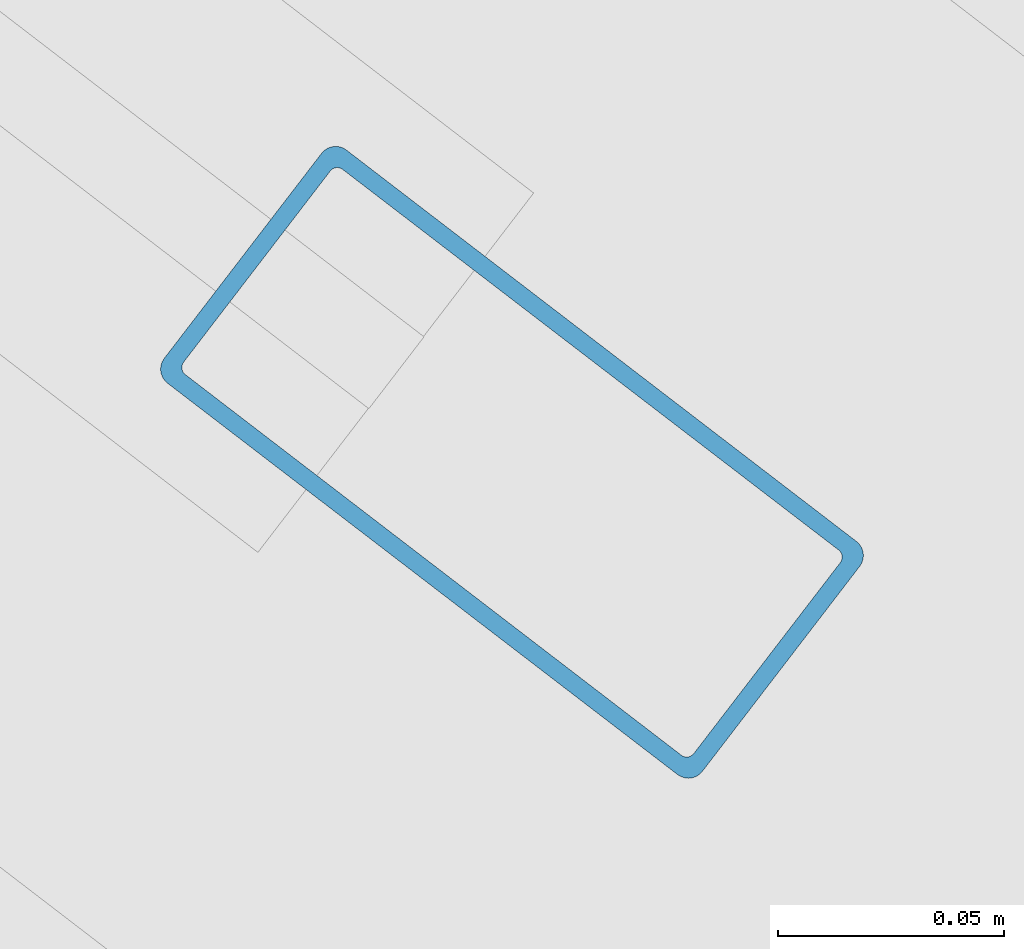
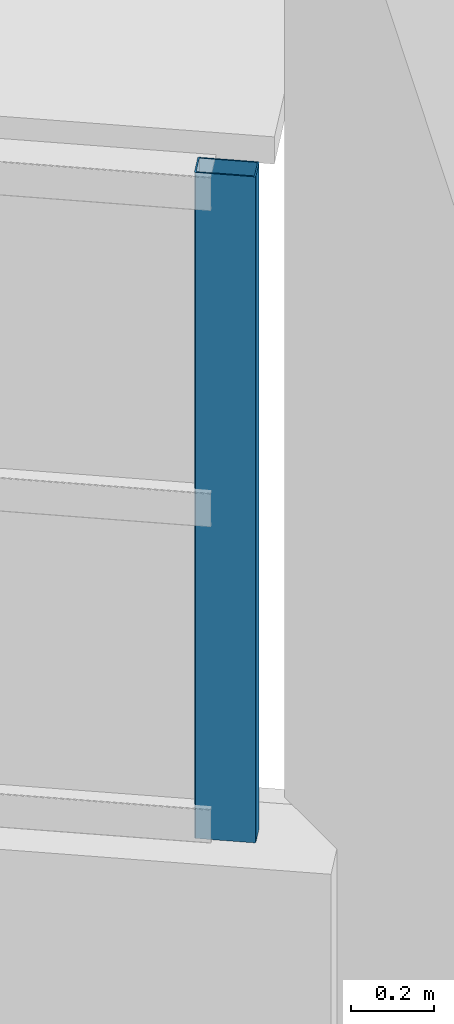
# One storey, part 71 of 108: 1 member, 1 element without a shape of its own.
"""IFC4 building model written with IfcOpenShell, lengths in metres."""

from ifc_helpers import new_model, si_unit, direction, frame, origin, origin_2d, place, context, subcontext, project, spatial, hollow_rectangle, extrude, material, layer, layer_set, material_profile, profile_set, type_object, element, aggregate, save


model = new_model("IFC4")

# Units and contexts
model_context = context("Model", 3, precision=1e-05, world=origin(), true_north=direction((0.0, 1.0)))
body_context = subcontext(model_context, "Body", "Model", "MODEL_VIEW")
ifc_project = project(units=[si_unit("LENGTHUNIT", "METRE"), si_unit("AREAUNIT", "SQUARE_METRE"), si_unit("VOLUMEUNIT", "CUBIC_METRE"), si_unit("PLANEANGLEUNIT", "RADIAN"), si_unit("MASSUNIT", "GRAM", prefix="KILO")], contexts=[model_context])

# Site, building, storey
site_placement = place(None, origin())
site = spatial("IfcSite", under=ifc_project, at=site_placement, CompositionType="ELEMENT")
building_placement = place(site_placement, origin())
building = spatial("IfcBuilding", under=site, at=building_placement, Name="Vespera Passage Community Centre", CompositionType="ELEMENT")
storey_placement = place(building_placement, frame((0.0, 0.0, 12.60009765625)))
storey = spatial("IfcBuildingStorey", under=building, at=storey_placement, Name="L03", CompositionType="ELEMENT", Elevation=12.60009765625)

# Curtain wall, member
ifc_material_1 = material(Name="Anodized aluminium 6063-T6", Category="aluminium")
ifc_layer = layer(ifc_material_1, 0.159912109375)
ifc_layer_set = layer_set([ifc_layer], Name="Anodized aluminium 6063-T6")
curtain_wall_type = type_object("IfcCurtainWallType", Name="CW-37E", PredefinedType="NOTDEFINED", material=ifc_layer_set)
curtain_wall_placement = place(storey_placement, origin())
curtain_wall = element("IfcCurtainWall", 1, at=curtain_wall_placement, inside=storey, type_object=curtain_wall_type, Name="V4 L03 Outer Ribbon Curtain Wall 3", PredefinedType="NOTDEFINED")
ifc_material_2 = material(Name="Anodized aluminium 6063-T6", Category="aluminium")
ifc_material_profile = material_profile(ifc_material_2, hollow_rectangle(XDim=0.06494140625, YDim=0.14990234375, WallThickness=0.00390625, InnerFilletRadius=0.001953125, OuterFilletRadius=0.00390625, at=origin_2d()), Name="ALU150X65X4")
ifc_profile_set = profile_set([ifc_material_profile], Name="Anodized aluminium 6063-T6")
member_type = type_object("IfcMemberType", Name="MB-CWM-150E", PredefinedType="MULLION", material=ifc_profile_set)
member_placement = place(storey_placement, frame((110.026123046875, 98.535888671875, 0.81982421875), z_axis=(0.0, 0.0, 1.0), x_axis=(0.608771824991, 0.793345363065, 0.0)))
member = element("IfcMember", 2, at=member_placement, type_object=member_type, Name="CW-37E mullion 5", PredefinedType="MULLION", context=body_context, shape_type="SweptSolid", body=[
    extrude(hollow_rectangle(XDim=0.06494140625, YDim=0.14990234375, WallThickness=0.00390625, InnerFilletRadius=0.001953125, OuterFilletRadius=0.00390625, at=origin_2d()), origin(), (0.0, 0.0, 1.0), 1.965576171875),
])
aggregate(curtain_wall, [member])

save(model, "model.ifc")
